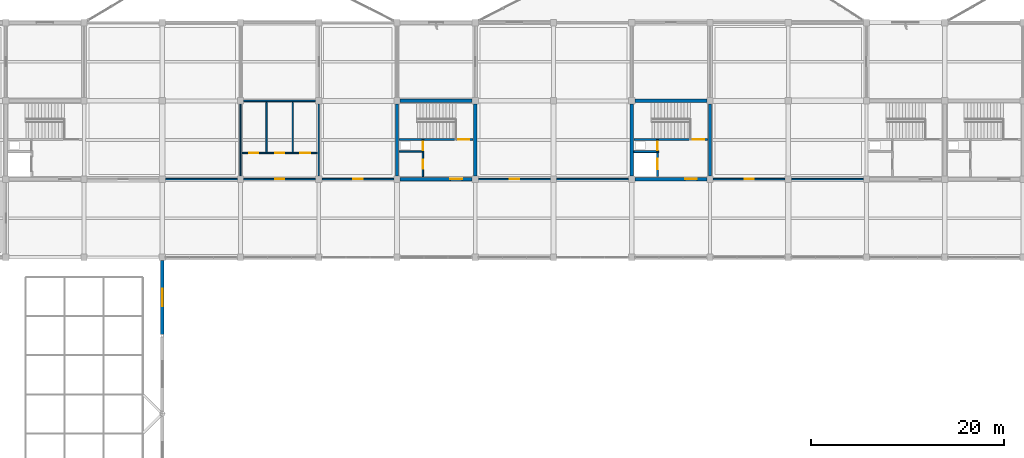
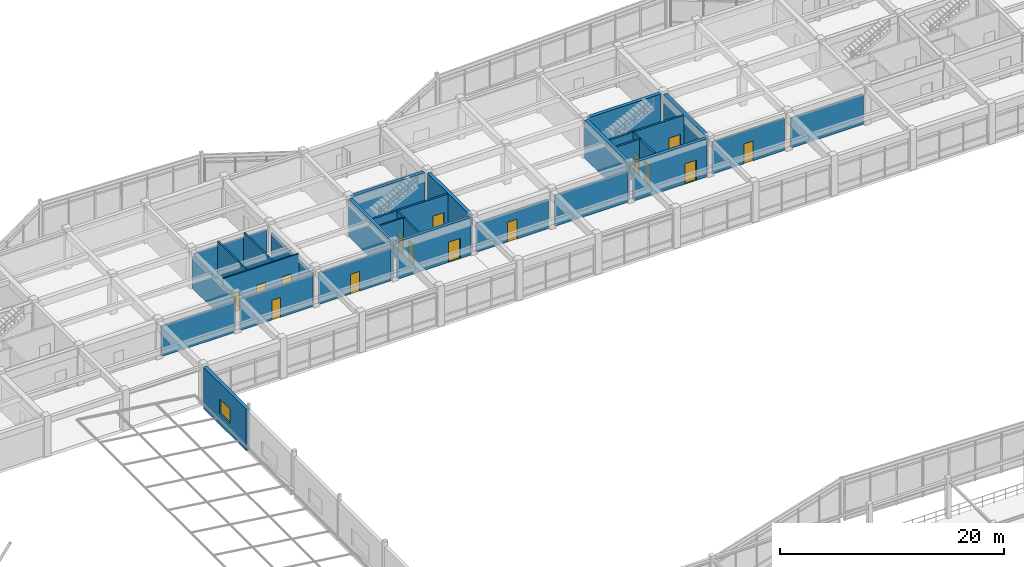
# One storey, part 67 of 89: 30 walls, 15 doors, 1 window, 16 openings.
"""IFC4 building model written with IfcOpenShell, lengths in metres."""

from ifc_helpers import new_model, si_unit, direction, frame, frame_2d, origin, place, context, subcontext, project, spatial, rectangle, extrude, material, layer, layer_set, type_object, element, fill, save


model = new_model("IFC4")

# Units and contexts
model_context = context("Model", 3, precision=1e-05, world=origin(), true_north=direction((0.0, 1.0)))
body_context = subcontext(model_context, "Body", "Model", "MODEL_VIEW")
ifc_project = project(units=[si_unit("LENGTHUNIT", "METRE"), si_unit("AREAUNIT", "SQUARE_METRE"), si_unit("VOLUMEUNIT", "CUBIC_METRE"), si_unit("PLANEANGLEUNIT", "RADIAN"), si_unit("MASSUNIT", "GRAM", prefix="KILO")], contexts=[model_context])

# Site, building, storey
site_placement = place(None, origin())
site = spatial("IfcSite", under=ifc_project, at=site_placement, CompositionType="ELEMENT")
building_placement = place(site_placement, origin())
building = spatial("IfcBuilding", under=site, at=building_placement, Name="Vaudrelin Polytechnic", CompositionType="ELEMENT")
storey_placement = place(building_placement, frame((0.0, 0.0, 9.68994140625)))
storey = spatial("IfcBuildingStorey", under=building, at=storey_placement, Name="L02", CompositionType="ELEMENT", Elevation=9.68994140625)

# Wall, opening, window
ifc_material_1 = material(Name="Precast concrete 35 MPa with standing-seam zinc rainscreen", Category="concrete")
ifc_layer_1 = layer(ifc_material_1, 0.360107421875)
ifc_layer_set_1 = layer_set([ifc_layer_1], Name="Precast concrete 35 MPa with standing-seam zinc rainscreen")
wall_type_1 = type_object("IfcWallType", Name="WAL-EW-ZINC360", PredefinedType="STANDARD", material=ifc_layer_set_1)
wall_1_placement = place(storey_placement, frame((32.39990234375, 89.22509765625, -0.3798828125), z_axis=(0.0, 0.0, 1.0), x_axis=(0.0, 1.0, 0.0)))
wall_1 = element("IfcWall", 1, at=wall_1_placement, inside=storey, type_object=wall_type_1, Name="Exterior wall L02 CT_W_06", PredefinedType="STANDARD", context=body_context, shape_type="SweptSolid", body=[
    extrude(rectangle(XDim=7.65185546875, YDim=0.360107421875, at=frame_2d((3.825927734375, 0.0))), origin(), (0.0, 0.0, 1.0), 4.52197265625),
])
opening_1_placement = place(wall_1_placement, frame((2.926025390625, 0.0, 1.22998046875)))
opening_1 = element("IfcOpeningElement", 2, at=opening_1_placement, cuts=wall_1, Name="Opening W-L02-CT-W-07", PredefinedType="OPENING", context=body_context, shape_type="SweptSolid", body=[
    extrude(rectangle(XDim=1.800048828125, YDim=1.550048828125, at=frame_2d((0.89990234375, 0.77490234375))), frame((0.0, 0.18994140625, 0.0), z_axis=(0.0, -1.0, 0.0), x_axis=(1.0, 0.0, 0.0)), (0.0, 0.0, 1.0), 0.380126953125),
])
ifc_material_2 = material(Name="Thermally broken aluminium frame with triple low-e glazing", Category="aluminium")
window_type = type_object("IfcWindowType", Name="WIN-WN-23", PartitioningType="SINGLE_PANEL", PredefinedType="WINDOW", material=ifc_material_2)
window_placement = place(opening_1_placement, origin())
window = element("IfcWindow", 3, at=window_placement, inside=storey, type_object=window_type, Name="Facade window L02-CT_W_06", OverallHeight=1.550048828125, OverallWidth=1.800048828125, PartitioningType="SINGLE_PANEL", PredefinedType="WINDOW", context=body_context, shape_type="SweptSolid", body=[
    extrude(rectangle(XDim=1.800048828125, YDim=1.550048828125, at=frame_2d((0.89990234375, 0.77490234375))), frame((0.0, 0.030029296875, 0.0), z_axis=(0.0, -1.0, 0.0), x_axis=(1.0, 0.0, 0.0)), (0.0, 0.0, 1.0), 0.06005859375),
])
fill(opening_1, window)

# Wall, opening, door
ifc_material_3 = material(Name="Fire-rated steel-stud gypsum compartment wall", Category="steel")
ifc_layer_2 = layer(ifc_material_3, 0.14990234375)
ifc_layer_set_2 = layer_set([ifc_layer_2], Name="Fire-rated steel-stud gypsum compartment wall")
wall_type_2 = type_object("IfcWallType", Name="WAL-PW-FIRE60", PredefinedType="PARTITIONING", material=ifc_layer_set_2)
wall_2_placement = place(storey_placement, frame((83.679931640625, 108.14990234375, 0.0), z_axis=(0.0, 0.0, 1.0), x_axis=(0.0, 1.0, 0.0)))
wall_2 = element("IfcWall", 4, at=wall_2_placement, inside=storey, type_object=wall_type_2, Name="Core C2 riser enclosure wall L02", PredefinedType="PARTITIONING", context=body_context, shape_type="SweptSolid", body=[
    extrude(rectangle(XDim=1.260009765625, YDim=0.14990234375, at=frame_2d((0.6298828125, 0.0))), origin(), (0.0, 0.0, 1.0), 4.14208984375),
])
opening_2_placement = place(wall_2_placement, frame((0.139892578125, 0.0, 0.0)))
opening_2 = element("IfcOpeningElement", 5, at=opening_2_placement, cuts=wall_2, Name="Opening D-L02-035", PredefinedType="OPENING", context=body_context, shape_type="SweptSolid", body=[
    extrude(rectangle(XDim=0.89990234375, YDim=2.14990234375, at=frame_2d((0.449951171875, 1.074951171875))), frame((0.0, 0.0849609375, 0.0), z_axis=(0.0, -1.0, 0.0), x_axis=(1.0, 0.0, 0.0)), (0.0, 0.0, 1.0), 0.169921875),
])
ifc_material_4 = material(Name="Pressed galvanised steel acoustic leaf", Category="steel")
door_type_1 = type_object("IfcDoorType", Name="DOR-ID-RSR1", OperationType="NOTDEFINED", PredefinedType="DOOR", material=ifc_material_4)
door_1_placement = place(opening_2_placement, origin())
door_1 = element("IfcDoor", 6, at=door_1_placement, inside=storey, type_object=door_type_1, Name="Core C2 riser access door L02", OperationType="SINGLE_SWING_RIGHT", OverallHeight=2.14990234375, OverallWidth=0.89990234375, PredefinedType="DOOR", context=body_context, shape_type="SweptSolid", body=[
    extrude(rectangle(XDim=0.89990234375, YDim=2.14990234375, at=frame_2d((0.449951171875, 1.074951171875))), frame((0.0, 0.02490234375, 0.0), z_axis=(0.0, -1.0, 0.0), x_axis=(1.0, 0.0, 0.0)), (0.0, 0.0, 1.0), 0.050048828125),
])
fill(opening_2, door_1)

wall_3_placement = place(storey_placement, frame((59.3798828125, 108.14990234375, 0.0), z_axis=(0.0, 0.0, 1.0), x_axis=(0.0, 1.0, 0.0)))
wall_3 = element("IfcWall", 7, at=wall_3_placement, inside=storey, type_object=wall_type_2, Name="Core C9 riser enclosure wall L02", PredefinedType="PARTITIONING", context=body_context, shape_type="SweptSolid", body=[
    extrude(rectangle(XDim=1.260009765625, YDim=0.14990234375, at=frame_2d((0.6298828125, 0.0))), origin(), (0.0, 0.0, 1.0), 4.08203125),
])
opening_3_placement = place(wall_3_placement, frame((0.139892578125, 0.0, 0.0)))
opening_3 = element("IfcOpeningElement", 8, at=opening_3_placement, cuts=wall_3, Name="Opening D-L02-189", PredefinedType="OPENING", context=body_context, shape_type="SweptSolid", body=[
    extrude(rectangle(XDim=0.89990234375, YDim=2.14990234375, at=frame_2d((0.449951171875, 1.074951171875))), frame((0.0, 0.0849609375, 0.0), z_axis=(0.0, -1.0, 0.0), x_axis=(1.0, 0.0, 0.0)), (0.0, 0.0, 1.0), 0.169921875),
])
door_2_placement = place(opening_3_placement, origin())
door_2 = element("IfcDoor", 9, at=door_2_placement, inside=storey, type_object=door_type_1, Name="Core C9 riser access door L02", OperationType="SINGLE_SWING_RIGHT", OverallHeight=2.14990234375, OverallWidth=0.89990234375, PredefinedType="DOOR", context=body_context, shape_type="SweptSolid", body=[
    extrude(rectangle(XDim=0.89990234375, YDim=2.14990234375, at=frame_2d((0.449951171875, 1.074951171875))), frame((0.0, 0.02490234375, 0.0), z_axis=(0.0, -1.0, 0.0), x_axis=(1.0, 0.0, 0.0)), (0.0, 0.0, 1.0), 0.050048828125),
])
fill(opening_3, door_2)

# Wall
wall_4_placement = place(storey_placement, frame((56.919921875, 108.14990234375, 0.0), z_axis=(0.0, 0.0, 1.0), x_axis=(1.0, 0.0, 0.0)))
element("IfcWall", 10, at=wall_4_placement, inside=storey, type_object=wall_type_2, Name="Core C9 riser south fire wall L02", PredefinedType="PARTITIONING", context=body_context, shape_type="SweptSolid", body=[
    extrude(rectangle(XDim=2.530029296875, YDim=0.14990234375, at=frame_2d((1.26513671875, 0.0))), origin(), (0.0, 0.0, 1.0), 4.08203125),
])

# Wall, opening, door
wall_5_placement = place(storey_placement, frame((59.3798828125, 105.550048828125, 0.0), z_axis=(0.0, 0.0, 1.0), x_axis=(0.0, 1.0, 0.0)))
wall_5 = element("IfcWall", 11, at=wall_5_placement, inside=storey, type_object=wall_type_2, Name="Core C9 custodial enclosure wall L02", PredefinedType="PARTITIONING", context=body_context, shape_type="SweptSolid", body=[
    extrude(rectangle(XDim=2.599853515625, YDim=0.14990234375, at=frame_2d((1.2998046875, 0.0))), origin(), (0.0, 0.0, 1.0), 4.08203125),
])
opening_4_placement = place(wall_5_placement, frame((0.800048828125, 0.0, 0.0)))
opening_4 = element("IfcOpeningElement", 12, at=opening_4_placement, cuts=wall_5, Name="Opening D-L02-190", PredefinedType="OPENING", context=body_context, shape_type="SweptSolid", body=[
    extrude(rectangle(XDim=0.949951171875, YDim=2.14990234375, at=frame_2d((0.47509765625, 1.074951171875))), frame((0.0, 0.0849609375, 0.0), z_axis=(0.0, -1.0, 0.0), x_axis=(1.0, 0.0, 0.0)), (0.0, 0.0, 1.0), 0.169921875),
])
door_type_2 = type_object("IfcDoorType", Name="DOR-ID-STR1", OperationType="NOTDEFINED", PredefinedType="DOOR", material=ifc_material_4)
door_3_placement = place(opening_4_placement, origin())
door_3 = element("IfcDoor", 13, at=door_3_placement, inside=storey, type_object=door_type_2, Name="Core C9 custodial door L02", OperationType="SINGLE_SWING_RIGHT", OverallHeight=2.14990234375, OverallWidth=0.949951171875, PredefinedType="DOOR", context=body_context, shape_type="SweptSolid", body=[
    extrude(rectangle(XDim=0.949951171875, YDim=2.14990234375, at=frame_2d((0.47509765625, 1.074951171875))), frame((0.0, 0.02490234375, 0.0), z_axis=(0.0, -1.0, 0.0), x_axis=(1.0, 0.0, 0.0)), (0.0, 0.0, 1.0), 0.050048828125),
])
fill(opening_4, door_3)

# Wall
ifc_material_5 = material(Name="Acoustic steel-stud office & study room partition", Category="steel")
ifc_layer_3 = layer(ifc_material_5, 0.135009765625)
ifc_layer_set_3 = layer_set([ifc_layer_3], Name="Acoustic steel-stud office & study room partition")
wall_type_3 = type_object("IfcWallType", Name="WAL-PW-OFF135", PredefinedType="PARTITIONING", material=ifc_layer_set_3)
wall_6_placement = place(storey_placement, frame((32.722900390625, 105.300048828125, 0.0), z_axis=(0.0, 0.0, 1.0), x_axis=(1.0, 0.0, 0.0)))
element("IfcWall", 14, at=wall_6_placement, inside=storey, type_object=wall_type_3, Name="Partition L02-008 S", PredefinedType="PARTITIONING", context=body_context, shape_type="SweptSolid", body=[
    extrude(rectangle(XDim=7.4541015625, YDim=0.135009765625, at=frame_2d((3.72705078125, 0.0))), origin(), (0.0, 0.0, 1.0), 3.33203125),
])

# Wall, opening, door
wall_7_placement = place(storey_placement, frame((48.923095703125, 105.300048828125, 0.0), z_axis=(0.0, 0.0, 1.0), x_axis=(1.0, 0.0, 0.0)))
wall_7 = element("IfcWall", 15, at=wall_7_placement, inside=storey, type_object=wall_type_3, Name="Partition L02-009 S", PredefinedType="PARTITIONING", context=body_context, shape_type="SweptSolid", body=[
    extrude(rectangle(XDim=7.453857421875, YDim=0.135009765625, at=frame_2d((3.72705078125, 0.0))), origin(), (0.0, 0.0, 1.0), 3.482177734375),
])
opening_5_placement = place(wall_7_placement, frame((3.2470703125, 0.0, 0.0)))
opening_5 = element("IfcOpeningElement", 16, at=opening_5_placement, cuts=wall_7, Name="Opening D-L02-476", PredefinedType="OPENING", context=body_context, shape_type="SweptSolid", body=[
    extrude(rectangle(XDim=0.9599609375, YDim=2.14990234375, at=frame_2d((0.47998046875, 1.074951171875))), frame((0.0, 0.07763671875, 0.0), z_axis=(0.0, -1.0, 0.0), x_axis=(1.0, 0.0, 0.0)), (0.0, 0.0, 1.0), 0.155029296875),
])
ifc_material_6 = material(Name="Solid-core birch veneer acoustic leaf", Category="wood")
door_type_3 = type_object("IfcDoorType", Name="DOR-ID-OFF2", OperationType="NOTDEFINED", PredefinedType="DOOR", material=ifc_material_6)
door_4_placement = place(opening_5_placement, origin())
door_4 = element("IfcDoor", 17, at=door_4_placement, inside=storey, type_object=door_type_3, Name="Library Quiet Reading Room door L02-009", OperationType="SINGLE_SWING_RIGHT", OverallHeight=2.14990234375, OverallWidth=0.9599609375, PredefinedType="DOOR", context=body_context, shape_type="SweptSolid", body=[
    extrude(rectangle(XDim=0.9599609375, YDim=2.14990234375, at=frame_2d((0.47998046875, 1.074951171875))), frame((0.0, 0.02490234375, 0.0), z_axis=(0.0, -1.0, 0.0), x_axis=(1.0, 0.0, 0.0)), (0.0, 0.0, 1.0), 0.050048828125),
])
fill(opening_5, door_4)

wall_8_placement = place(storey_placement, frame((65.123046875, 105.300048828125, 0.0), z_axis=(0.0, 0.0, 1.0), x_axis=(1.0, 0.0, 0.0)))
wall_8 = element("IfcWall", 18, at=wall_8_placement, inside=storey, type_object=wall_type_3, Name="Partition L02-010 S", PredefinedType="PARTITIONING", context=body_context, shape_type="SweptSolid", body=[
    extrude(rectangle(XDim=7.453857421875, YDim=0.135009765625, at=frame_2d((3.72705078125, 0.0))), origin(), (0.0, 0.0, 1.0), 3.192138671875),
])
opening_6_placement = place(wall_8_placement, frame((3.2470703125, 0.0, 0.0)))
opening_6 = element("IfcOpeningElement", 19, at=opening_6_placement, cuts=wall_8, Name="Opening D-L02-477", PredefinedType="OPENING", context=body_context, shape_type="SweptSolid", body=[
    extrude(rectangle(XDim=0.9599609375, YDim=2.14990234375, at=frame_2d((0.47998046875, 1.074951171875))), frame((0.0, 0.07763671875, 0.0), z_axis=(0.0, -1.0, 0.0), x_axis=(1.0, 0.0, 0.0)), (0.0, 0.0, 1.0), 0.155029296875),
])
door_5_placement = place(opening_6_placement, origin())
door_5 = element("IfcDoor", 20, at=door_5_placement, inside=storey, type_object=door_type_3, Name="Library Commons and Periodicals door L02-010", OperationType="SINGLE_SWING_LEFT", OverallHeight=2.14990234375, OverallWidth=0.9599609375, PredefinedType="DOOR", context=body_context, shape_type="SweptSolid", body=[
    extrude(rectangle(XDim=0.9599609375, YDim=2.14990234375, at=frame_2d((0.47998046875, 1.074951171875))), frame((0.0, 0.02490234375, 0.0), z_axis=(0.0, -1.0, 0.0), x_axis=(1.0, 0.0, 0.0)), (0.0, 0.0, 1.0), 0.050048828125),
])
fill(opening_6, door_5)

# Wall
wall_9_placement = place(storey_placement, frame((73.222900390625, 105.300048828125, 0.0), z_axis=(0.0, 0.0, 1.0), x_axis=(1.0, 0.0, 0.0)))
element("IfcWall", 21, at=wall_9_placement, inside=storey, type_object=wall_type_3, Name="Partition L02-010 S", PredefinedType="PARTITIONING", context=body_context, shape_type="SweptSolid", body=[
    extrude(rectangle(XDim=7.4541015625, YDim=0.135009765625, at=frame_2d((3.72705078125, 0.0))), origin(), (0.0, 0.0, 1.0), 3.39208984375),
])

# Wall, opening, door
wall_10_placement = place(storey_placement, frame((89.423095703125, 105.300048828125, 0.0), z_axis=(0.0, 0.0, 1.0), x_axis=(1.0, 0.0, 0.0)))
wall_10 = element("IfcWall", 22, at=wall_10_placement, inside=storey, type_object=wall_type_3, Name="Partition L02-011 S", PredefinedType="PARTITIONING", context=body_context, shape_type="SweptSolid", body=[
    extrude(rectangle(XDim=7.453857421875, YDim=0.135009765625, at=frame_2d((3.72705078125, 0.0))), origin(), (0.0, 0.0, 1.0), 3.5419921875),
])
opening_7_placement = place(wall_10_placement, frame((3.2470703125, 0.0, 0.0)))
opening_7 = element("IfcOpeningElement", 23, at=opening_7_placement, cuts=wall_10, Name="Opening D-L02-478", PredefinedType="OPENING", context=body_context, shape_type="SweptSolid", body=[
    extrude(rectangle(XDim=0.9599609375, YDim=2.14990234375, at=frame_2d((0.47998046875, 1.074951171875))), frame((0.0, 0.07763671875, 0.0), z_axis=(0.0, -1.0, 0.0), x_axis=(1.0, 0.0, 0.0)), (0.0, 0.0, 1.0), 0.155029296875),
])
door_6_placement = place(opening_7_placement, origin())
door_6 = element("IfcDoor", 24, at=door_6_placement, inside=storey, type_object=door_type_3, Name="Library Book Stacks East door L02-011", OperationType="SINGLE_SWING_RIGHT", OverallHeight=2.14990234375, OverallWidth=0.9599609375, PredefinedType="DOOR", context=body_context, shape_type="SweptSolid", body=[
    extrude(rectangle(XDim=0.9599609375, YDim=2.14990234375, at=frame_2d((0.47998046875, 1.074951171875))), frame((0.0, 0.02490234375, 0.0), z_axis=(0.0, -1.0, 0.0), x_axis=(1.0, 0.0, 0.0)), (0.0, 0.0, 1.0), 0.050048828125),
])
fill(opening_7, door_6)

# Wall
wall_11_placement = place(storey_placement, frame((97.52294921875, 105.300048828125, 0.0), z_axis=(0.0, 0.0, 1.0), x_axis=(1.0, 0.0, 0.0)))
element("IfcWall", 25, at=wall_11_placement, inside=storey, type_object=wall_type_3, Name="Partition L02-011 S", PredefinedType="PARTITIONING", context=body_context, shape_type="SweptSolid", body=[
    extrude(rectangle(XDim=7.4541015625, YDim=0.135009765625, at=frame_2d((3.72705078125, 0.0))), origin(), (0.0, 0.0, 1.0), 3.2919921875),
])

# Wall, opening, door
ifc_material_7 = material(Name="Cement-board tiled wet-wall washroom partition", Category="gypsum")
ifc_layer_4 = layer(ifc_material_7, 0.139892578125)
ifc_layer_set_4 = layer_set([ifc_layer_4], Name="Cement-board tiled wet-wall washroom partition")
wall_type_4 = type_object("IfcWallType", Name="WAL-PW-WC140", PredefinedType="PARTITIONING", material=ifc_layer_set_4)
wall_12_placement = place(storey_placement, frame((40.822998046875, 105.300048828125, 0.0), z_axis=(0.0, 0.0, 1.0), x_axis=(1.0, 0.0, 0.0)))
wall_12 = element("IfcWall", 26, at=wall_12_placement, inside=storey, type_object=wall_type_4, Name="Washroom enclosure wall L02-5-13-S", PredefinedType="PARTITIONING", context=body_context, shape_type="SweptSolid", body=[
    extrude(rectangle(XDim=7.4541015625, YDim=0.139892578125, at=frame_2d((3.72705078125, 0.0))), origin(), (0.0, 0.0, 1.0), 3.43017578125),
])
opening_8_placement = place(wall_12_placement, frame((3.26708984375, 0.0, 0.0)))
opening_8 = element("IfcOpeningElement", 27, at=opening_8_placement, cuts=wall_12, Name="Opening D-L02-353", PredefinedType="OPENING", context=body_context, shape_type="SweptSolid", body=[
    extrude(rectangle(XDim=0.919921875, YDim=2.14990234375, at=frame_2d((0.4599609375, 1.074951171875))), frame((0.0, 0.080078125, 0.0), z_axis=(0.0, -1.0, 0.0), x_axis=(1.0, 0.0, 0.0)), (0.0, 0.0, 1.0), 0.159912109375),
])
door_type_4 = type_object("IfcDoorType", Name="DOR-ID-WC1", OperationType="NOTDEFINED", PredefinedType="DOOR", material=ifc_material_6)
door_7_placement = place(opening_8_placement, origin())
door_7 = element("IfcDoor", 28, at=door_7_placement, inside=storey, type_object=door_type_4, Name="Washroom vestibule door L02-5-13-S", OperationType="SINGLE_SWING_LEFT", OverallHeight=2.14990234375, OverallWidth=0.919921875, PredefinedType="DOOR", context=body_context, shape_type="SweptSolid", body=[
    extrude(rectangle(XDim=0.919921875, YDim=2.14990234375, at=frame_2d((0.4599609375, 1.074951171875))), frame((0.0, 0.02490234375, 0.0), z_axis=(0.0, -1.0, 0.0), x_axis=(1.0, 0.0, 0.0)), (0.0, 0.0, 1.0), 0.050048828125),
])
fill(opening_8, door_7)

# Walls
wall_13_placement = place(storey_placement, frame((40.822998046875, 113.39990234375, 0.0), z_axis=(0.0, 0.0, 1.0), x_axis=(1.0, 0.0, 0.0)))
element("IfcWall", 29, at=wall_13_placement, inside=storey, type_object=wall_type_4, Name="Washroom enclosure wall L02-5-13-N", PredefinedType="PARTITIONING", context=body_context, shape_type="SweptSolid", body=[
    extrude(rectangle(XDim=7.4541015625, YDim=0.139892578125, at=frame_2d((3.72705078125, 0.0))), origin(), (0.0, 0.0, 1.0), 3.47998046875),
])
wall_14_placement = place(storey_placement, frame((40.5, 105.623046875, 0.0), z_axis=(0.0, 0.0, 1.0), x_axis=(0.0, 1.0, 0.0)))
element("IfcWall", 30, at=wall_14_placement, inside=storey, type_object=wall_type_4, Name="Washroom enclosure wall L02-5-13-W", PredefinedType="PARTITIONING", context=body_context, shape_type="SweptSolid", body=[
    extrude(rectangle(XDim=7.453857421875, YDim=0.139892578125, at=frame_2d((3.72705078125, 0.0))), origin(), (0.0, 0.0, 1.0), 3.43017578125),
])
wall_15_placement = place(storey_placement, frame((48.60009765625, 105.623046875, 0.0), z_axis=(0.0, 0.0, 1.0), x_axis=(0.0, 1.0, 0.0)))
element("IfcWall", 31, at=wall_15_placement, inside=storey, type_object=wall_type_4, Name="Washroom enclosure wall L02-5-13-E", PredefinedType="PARTITIONING", context=body_context, shape_type="SweptSolid", body=[
    extrude(rectangle(XDim=7.453857421875, YDim=0.139892578125, at=frame_2d((3.72705078125, 0.0))), origin(), (0.0, 0.0, 1.0), 3.22998046875),
])

# Wall, openings, doors
wall_16_placement = place(storey_placement, frame((40.64990234375, 108.0, 0.0), z_axis=(0.0, 0.0, 1.0), x_axis=(1.0, 0.0, 0.0)))
wall_16 = element("IfcWall", 32, at=wall_16_placement, inside=storey, type_object=wall_type_4, Name="Washroom vestibule divider L02-5-13", PredefinedType="PARTITIONING", context=body_context, shape_type="SweptSolid", body=[
    extrude(rectangle(XDim=7.800048828125, YDim=0.139892578125, at=frame_2d((3.89990234375, 0.0))), origin(), (0.0, 0.0, 1.0), 4.08203125),
])
opening_9_placement = place(wall_16_placement, frame((0.75, 0.0, 0.0)))
opening_9 = element("IfcOpeningElement", 33, at=opening_9_placement, cuts=wall_16, Name="Opening D-L02-354", PredefinedType="OPENING", context=body_context, shape_type="SweptSolid", body=[
    extrude(rectangle(XDim=0.919921875, YDim=2.14990234375, at=frame_2d((0.4599609375, 1.074951171875))), frame((0.0, 0.080078125, 0.0), z_axis=(0.0, -1.0, 0.0), x_axis=(1.0, 0.0, 0.0)), (0.0, 0.0, 1.0), 0.159912109375),
])
opening_10_placement = place(wall_16_placement, frame((3.43994140625, 0.0, 0.0)))
opening_10 = element("IfcOpeningElement", 34, at=opening_10_placement, cuts=wall_16, Name="Opening D-L02-355", PredefinedType="OPENING", context=body_context, shape_type="SweptSolid", body=[
    extrude(rectangle(XDim=0.919921875, YDim=2.14990234375, at=frame_2d((0.4599609375, 1.074951171875))), frame((0.0, 0.080078125, 0.0), z_axis=(0.0, -1.0, 0.0), x_axis=(1.0, 0.0, 0.0)), (0.0, 0.0, 1.0), 0.159912109375),
])
opening_11_placement = place(wall_16_placement, frame((6.050048828125, 0.0, 0.0)))
opening_11 = element("IfcOpeningElement", 35, at=opening_11_placement, cuts=wall_16, Name="Opening D-L02-356", PredefinedType="OPENING", context=body_context, shape_type="SweptSolid", body=[
    extrude(rectangle(XDim=1.0, YDim=2.14990234375, at=frame_2d((0.5, 1.074951171875))), frame((0.0, 0.080078125, 0.0), z_axis=(0.0, -1.0, 0.0), x_axis=(1.0, 0.0, 0.0)), (0.0, 0.0, 1.0), 0.159912109375),
])
door_type_5 = type_object("IfcDoorType", Name="DOR-ID-AWC1", OperationType="NOTDEFINED", PredefinedType="DOOR", material=ifc_material_6)
door_8_placement = place(opening_11_placement, origin())
door_8 = element("IfcDoor", 36, at=door_8_placement, inside=storey, type_object=door_type_5, Name="Washroom stall-room door L02-5-13-3", OperationType="SINGLE_SWING_LEFT", OverallHeight=2.14990234375, OverallWidth=1.0, PredefinedType="DOOR", context=body_context, shape_type="SweptSolid", body=[
    extrude(rectangle(XDim=1.0, YDim=2.14990234375, at=frame_2d((0.5, 1.074951171875))), frame((0.0, 0.02490234375, 0.0), z_axis=(0.0, -1.0, 0.0), x_axis=(1.0, 0.0, 0.0)), (0.0, 0.0, 1.0), 0.050048828125),
])
fill(opening_11, door_8)
door_9_placement = place(opening_9_placement, origin())
door_9 = element("IfcDoor", 37, at=door_9_placement, inside=storey, type_object=door_type_4, Name="Washroom stall-room door L02-5-13-1", OperationType="SINGLE_SWING_LEFT", OverallHeight=2.14990234375, OverallWidth=0.919921875, PredefinedType="DOOR", context=body_context, shape_type="SweptSolid", body=[
    extrude(rectangle(XDim=0.919921875, YDim=2.14990234375, at=frame_2d((0.4599609375, 1.074951171875))), frame((0.0, 0.02490234375, 0.0), z_axis=(0.0, -1.0, 0.0), x_axis=(1.0, 0.0, 0.0)), (0.0, 0.0, 1.0), 0.050048828125),
])
fill(opening_9, door_9)
door_10_placement = place(opening_10_placement, origin())
door_10 = element("IfcDoor", 38, at=door_10_placement, inside=storey, type_object=door_type_4, Name="Washroom stall-room door L02-5-13-2", OperationType="SINGLE_SWING_RIGHT", OverallHeight=2.14990234375, OverallWidth=0.919921875, PredefinedType="DOOR", context=body_context, shape_type="SweptSolid", body=[
    extrude(rectangle(XDim=0.919921875, YDim=2.14990234375, at=frame_2d((0.4599609375, 1.074951171875))), frame((0.0, 0.02490234375, 0.0), z_axis=(0.0, -1.0, 0.0), x_axis=(1.0, 0.0, 0.0)), (0.0, 0.0, 1.0), 0.050048828125),
])
fill(opening_10, door_10)

# Walls
for number, where, z_axis, x_axis, name in (
    (39, (43.199951171875, 108.070068359375, 0.0), (0.0, 0.0, 1.0), (0.0, 1.0, 0.0), "Washroom separation wall L02-5-13-1"),
    (40, (45.89990234375, 108.070068359375, 0.0), (0.0, 0.0, 1.0), (0.0, 1.0, 0.0), "Washroom separation wall L02-5-13-2"),
):
    element("IfcWall", number, at=place(storey_placement, frame(where, z_axis=z_axis, x_axis=x_axis)), inside=storey, type_object=wall_type_4, Name=name, PredefinedType="PARTITIONING", context=body_context, shape_type="SweptSolid", body=[
        extrude(rectangle(XDim=5.179931640625, YDim=0.139892578125, at=frame_2d((2.58984375, 0.0))), origin(), (0.0, 0.0, 1.0), 4.08203125),
    ])

# Wall, opening, door
ifc_material_8 = material(Name="Concrete 40 MPa", Category="concrete")
ifc_layer_5 = layer(ifc_material_8, 0.199951171875)
ifc_layer_set_5 = layer_set([ifc_layer_5], Name="Concrete 40 MPa")
wall_type_5 = type_object("IfcWallType", Name="WAL-SW-CORE200", PredefinedType="SHEAR", material=ifc_layer_set_5)
wall_17_placement = place(storey_placement, frame((81.219970703125, 109.409912109375, 0.0), z_axis=(0.0, 0.0, 1.0), x_axis=(1.0, 0.0, 0.0)))
wall_17 = element("IfcWall", 41, at=wall_17_placement, inside=storey, type_object=wall_type_5, Name="Core C2 stair enclosure wall L02", PredefinedType="SHEAR", context=body_context, shape_type="SweptSolid", body=[
    extrude(rectangle(XDim=7.659912109375, YDim=0.199951171875, at=frame_2d((3.830078125, 0.0))), origin(), (0.0, 0.0, 1.0), 4.14208984375),
])
opening_12_placement = place(wall_17_placement, frame((6.110107421875, 0.0, 0.0)))
opening_12 = element("IfcOpeningElement", 42, at=opening_12_placement, cuts=wall_17, Name="Opening D-L02-034", PredefinedType="OPENING", context=body_context, shape_type="SweptSolid", body=[
    extrude(rectangle(XDim=1.14990234375, YDim=2.199951171875, at=frame_2d((0.574951171875, 1.10009765625))), frame((0.0, 0.10986328125, 0.0), z_axis=(0.0, -1.0, 0.0), x_axis=(1.0, 0.0, 0.0)), (0.0, 0.0, 1.0), 0.219970703125),
])
door_type_6 = type_object("IfcDoorType", Name="DOR-ID-ST1", OperationType="NOTDEFINED", PredefinedType="DOOR", material=ifc_material_4)
door_11_placement = place(opening_12_placement, origin())
door_11 = element("IfcDoor", 43, at=door_11_placement, inside=storey, type_object=door_type_6, Name="Core C2 exit stair door L02", OperationType="SINGLE_SWING_LEFT", OverallHeight=2.199951171875, OverallWidth=1.14990234375, PredefinedType="DOOR", context=body_context, shape_type="SweptSolid", body=[
    extrude(rectangle(XDim=1.14990234375, YDim=2.199951171875, at=frame_2d((0.574951171875, 1.10009765625))), frame((0.0, 0.02490234375, 0.0), z_axis=(0.0, -1.0, 0.0), x_axis=(1.0, 0.0, 0.0)), (0.0, 0.0, 1.0), 0.050048828125),
])
fill(opening_12, door_11)

wall_18_placement = place(storey_placement, frame((83.679931640625, 105.550048828125, 0.0), z_axis=(0.0, 0.0, 1.0), x_axis=(0.0, 1.0, 0.0)))
wall_18 = element("IfcWall", 44, at=wall_18_placement, inside=storey, type_object=wall_type_5, Name="Lift LF-02 shaft front wall L02", PredefinedType="SHEAR", context=body_context, shape_type="SweptSolid", body=[
    extrude(rectangle(XDim=2.599853515625, YDim=0.199951171875, at=frame_2d((1.2998046875, 0.0))), origin(), (0.0, 0.0, 1.0), 4.14208984375),
])
opening_13_placement = place(wall_18_placement, frame((0.75, 0.0, 0.0)))
opening_13 = element("IfcOpeningElement", 45, at=opening_13_placement, cuts=wall_18, Name="Opening LD-LF-02-L02", PredefinedType="OPENING", context=body_context, shape_type="SweptSolid", body=[
    extrude(rectangle(XDim=1.10009765625, YDim=2.199951171875, at=frame_2d((0.550048828125, 1.10009765625))), frame((0.0, 0.10986328125, 0.0), z_axis=(0.0, -1.0, 0.0), x_axis=(1.0, 0.0, 0.0)), (0.0, 0.0, 1.0), 0.219970703125),
])
ifc_material_9 = material(Name="Brushed stainless steel AISI 304", Category="steel")
door_type_7 = type_object("IfcDoorType", Name="DOR-LD-PAX", OperationType="SLIDING_TO_LEFT", PredefinedType="DOOR", material=ifc_material_9)
door_12_placement = place(opening_13_placement, origin())
door_12 = element("IfcDoor", 46, at=door_12_placement, inside=storey, type_object=door_type_7, Name="Lift LF-02 landing door L02", OperationType="SLIDING_TO_LEFT", OverallHeight=2.199951171875, OverallWidth=1.10009765625, PredefinedType="DOOR", context=body_context, shape_type="SweptSolid", body=[
    extrude(rectangle(XDim=1.10009765625, YDim=2.199951171875, at=frame_2d((0.550048828125, 1.10009765625))), frame((0.0, 0.02490234375, 0.0), z_axis=(0.0, -1.0, 0.0), x_axis=(1.0, 0.0, 0.0)), (0.0, 0.0, 1.0), 0.050048828125),
])
fill(opening_13, door_12)

# Wall
wall_19_placement = place(storey_placement, frame((81.219970703125, 108.14990234375, 0.0), z_axis=(0.0, 0.0, 1.0), x_axis=(1.0, 0.0, 0.0)))
element("IfcWall", 47, at=wall_19_placement, inside=storey, type_object=wall_type_5, Name="Lift LF-02 shaft north wall L02", PredefinedType="SHEAR", context=body_context, shape_type="SweptSolid", body=[
    extrude(rectangle(XDim=2.56005859375, YDim=0.199951171875, at=frame_2d((1.280029296875, 0.0))), origin(), (0.0, 0.0, 1.0), 4.14208984375),
])

# Wall, opening, door
wall_20_placement = place(storey_placement, frame((56.919921875, 109.409912109375, 0.0), z_axis=(0.0, 0.0, 1.0), x_axis=(1.0, 0.0, 0.0)))
wall_20 = element("IfcWall", 48, at=wall_20_placement, inside=storey, type_object=wall_type_5, Name="Core C9 stair enclosure wall L02", PredefinedType="SHEAR", context=body_context, shape_type="SweptSolid", body=[
    extrude(rectangle(XDim=7.66015625, YDim=0.199951171875, at=frame_2d((3.830078125, 0.0))), origin(), (0.0, 0.0, 1.0), 4.08203125),
])
opening_14_placement = place(wall_20_placement, frame((6.110107421875, 0.0, 0.0)))
opening_14 = element("IfcOpeningElement", 49, at=opening_14_placement, cuts=wall_20, Name="Opening D-L02-188", PredefinedType="OPENING", context=body_context, shape_type="SweptSolid", body=[
    extrude(rectangle(XDim=1.14990234375, YDim=2.199951171875, at=frame_2d((0.574951171875, 1.10009765625))), frame((0.0, 0.10986328125, 0.0), z_axis=(0.0, -1.0, 0.0), x_axis=(1.0, 0.0, 0.0)), (0.0, 0.0, 1.0), 0.219970703125),
])
door_13_placement = place(opening_14_placement, origin())
door_13 = element("IfcDoor", 50, at=door_13_placement, inside=storey, type_object=door_type_6, Name="Core C9 exit stair door L02", OperationType="SINGLE_SWING_LEFT", OverallHeight=2.199951171875, OverallWidth=1.14990234375, PredefinedType="DOOR", context=body_context, shape_type="SweptSolid", body=[
    extrude(rectangle(XDim=1.14990234375, YDim=2.199951171875, at=frame_2d((0.574951171875, 1.10009765625))), frame((0.0, 0.02490234375, 0.0), z_axis=(0.0, -1.0, 0.0), x_axis=(1.0, 0.0, 0.0)), (0.0, 0.0, 1.0), 0.050048828125),
])
fill(opening_14, door_13)

# Walls
ifc_material_10 = material(Name="Concrete 50 MPa", Category="concrete")
ifc_layer_6 = layer(ifc_material_10, 0.35009765625)
ifc_layer_set_6 = layer_set([ifc_layer_6], Name="Concrete 50 MPa")
wall_type_6 = type_object("IfcWallType", Name="WAL-SW-CORE350", PredefinedType="SHEAR", material=ifc_layer_set_6)
wall_21_placement = place(storey_placement, frame((81.322998046875, 113.39990234375, 0.0), z_axis=(0.0, 0.0, 1.0), x_axis=(1.0, 0.0, 0.0)))
element("IfcWall", 51, at=wall_21_placement, inside=storey, type_object=wall_type_6, Name="Core C2 N shear wall L02", PredefinedType="SHEAR", context=body_context, shape_type="SweptSolid", body=[
    extrude(rectangle(XDim=7.4541015625, YDim=0.35009765625, at=frame_2d((3.72705078125, 0.0))), origin(), (0.0, 0.0, 1.0), 4.14208984375),
])
for number, where, z_axis, x_axis, name in (
    (52, (81.0, 105.623046875, 0.0), (0.0, 0.0, 1.0), (0.0, 1.0, 0.0), "Core C2 W shear wall L02"),
    (53, (89.10009765625, 105.623046875, 0.0), (0.0, 0.0, 1.0), (0.0, 1.0, 0.0), "Core C2 E shear wall L02"),
):
    element("IfcWall", number, at=place(storey_placement, frame(where, z_axis=z_axis, x_axis=x_axis)), inside=storey, type_object=wall_type_6, Name=name, PredefinedType="SHEAR", context=body_context, shape_type="SweptSolid", body=[
        extrude(rectangle(XDim=7.453857421875, YDim=0.35009765625, at=frame_2d((3.72705078125, 0.0))), origin(), (0.0, 0.0, 1.0), 4.14208984375),
    ])

# Wall, opening, door
wall_22_placement = place(storey_placement, frame((81.322998046875, 105.300048828125, 0.0), z_axis=(0.0, 0.0, 1.0), x_axis=(1.0, 0.0, 0.0)))
wall_22 = element("IfcWall", 54, at=wall_22_placement, inside=storey, type_object=wall_type_6, Name="Core C2 S shear wall L02", PredefinedType="SHEAR", context=body_context, shape_type="SweptSolid", body=[
    extrude(rectangle(XDim=7.4541015625, YDim=0.35009765625, at=frame_2d((3.72705078125, 0.0))), origin(), (0.0, 0.0, 1.0), 4.14208984375),
])
opening_15_placement = place(wall_22_placement, frame((5.2041015625, 0.0, 0.0)))
opening_15 = element("IfcOpeningElement", 55, at=opening_15_placement, cuts=wall_22, Name="Opening D-L02-033", PredefinedType="OPENING", context=body_context, shape_type="SweptSolid", body=[
    extrude(rectangle(XDim=1.199951171875, YDim=2.199951171875, at=frame_2d((0.60009765625, 1.10009765625))), frame((0.0, 0.18505859375, 0.0), z_axis=(0.0, -1.0, 0.0), x_axis=(1.0, 0.0, 0.0)), (0.0, 0.0, 1.0), 0.3701171875),
])
door_type_8 = type_object("IfcDoorType", Name="DOR-ID-LB1", OperationType="NOTDEFINED", PredefinedType="DOOR", material=ifc_material_4)
door_14_placement = place(opening_15_placement, origin())
door_14 = element("IfcDoor", 56, at=door_14_placement, inside=storey, type_object=door_type_8, Name="Core C2 lobby fire door L02", OperationType="SINGLE_SWING_LEFT", OverallHeight=2.199951171875, OverallWidth=1.199951171875, PredefinedType="DOOR", context=body_context, shape_type="SweptSolid", body=[
    extrude(rectangle(XDim=1.199951171875, YDim=2.199951171875, at=frame_2d((0.60009765625, 1.10009765625))), frame((0.0, 0.02490234375, 0.0), z_axis=(0.0, -1.0, 0.0), x_axis=(1.0, 0.0, 0.0)), (0.0, 0.0, 1.0), 0.050048828125),
])
fill(opening_15, door_14)

# Walls
wall_23_placement = place(storey_placement, frame((57.02294921875, 113.39990234375, 0.0), z_axis=(0.0, 0.0, 1.0), x_axis=(1.0, 0.0, 0.0)))
element("IfcWall", 57, at=wall_23_placement, inside=storey, type_object=wall_type_6, Name="Core C9 N shear wall L02", PredefinedType="SHEAR", context=body_context, shape_type="SweptSolid", body=[
    extrude(rectangle(XDim=7.4541015625, YDim=0.35009765625, at=frame_2d((3.72705078125, 0.0))), origin(), (0.0, 0.0, 1.0), 4.08203125),
])
for number, where, z_axis, x_axis, name in (
    (58, (56.699951171875, 105.623046875, 0.0), (0.0, 0.0, 1.0), (0.0, 1.0, 0.0), "Core C9 W shear wall L02"),
    (59, (64.800048828125, 105.623046875, 0.0), (0.0, 0.0, 1.0), (0.0, 1.0, 0.0), "Core C9 E shear wall L02"),
):
    element("IfcWall", number, at=place(storey_placement, frame(where, z_axis=z_axis, x_axis=x_axis)), inside=storey, type_object=wall_type_6, Name=name, PredefinedType="SHEAR", context=body_context, shape_type="SweptSolid", body=[
        extrude(rectangle(XDim=7.453857421875, YDim=0.35009765625, at=frame_2d((3.72705078125, 0.0))), origin(), (0.0, 0.0, 1.0), 4.08203125),
    ])

# Wall, opening, door
wall_24_placement = place(storey_placement, frame((57.02294921875, 105.300048828125, 0.0), z_axis=(0.0, 0.0, 1.0), x_axis=(1.0, 0.0, 0.0)))
wall_24 = element("IfcWall", 60, at=wall_24_placement, inside=storey, type_object=wall_type_6, Name="Core C9 S shear wall L02", PredefinedType="SHEAR", context=body_context, shape_type="SweptSolid", body=[
    extrude(rectangle(XDim=7.4541015625, YDim=0.35009765625, at=frame_2d((3.72705078125, 0.0))), origin(), (0.0, 0.0, 1.0), 4.08203125),
])
opening_16_placement = place(wall_24_placement, frame((5.2041015625, 0.0, 0.0)))
opening_16 = element("IfcOpeningElement", 61, at=opening_16_placement, cuts=wall_24, Name="Opening D-L02-187", PredefinedType="OPENING", context=body_context, shape_type="SweptSolid", body=[
    extrude(rectangle(XDim=1.199951171875, YDim=2.199951171875, at=frame_2d((0.60009765625, 1.10009765625))), frame((0.0, 0.18505859375, 0.0), z_axis=(0.0, -1.0, 0.0), x_axis=(1.0, 0.0, 0.0)), (0.0, 0.0, 1.0), 0.3701171875),
])
door_15_placement = place(opening_16_placement, origin())
door_15 = element("IfcDoor", 62, at=door_15_placement, inside=storey, type_object=door_type_8, Name="Core C9 lobby fire door L02", OperationType="SINGLE_SWING_RIGHT", OverallHeight=2.199951171875, OverallWidth=1.199951171875, PredefinedType="DOOR", context=body_context, shape_type="SweptSolid", body=[
    extrude(rectangle(XDim=1.199951171875, YDim=2.199951171875, at=frame_2d((0.60009765625, 1.10009765625))), frame((0.0, 0.02490234375, 0.0), z_axis=(0.0, -1.0, 0.0), x_axis=(1.0, 0.0, 0.0)), (0.0, 0.0, 1.0), 0.050048828125),
])
fill(opening_16, door_15)

save(model, "model.ifc")
